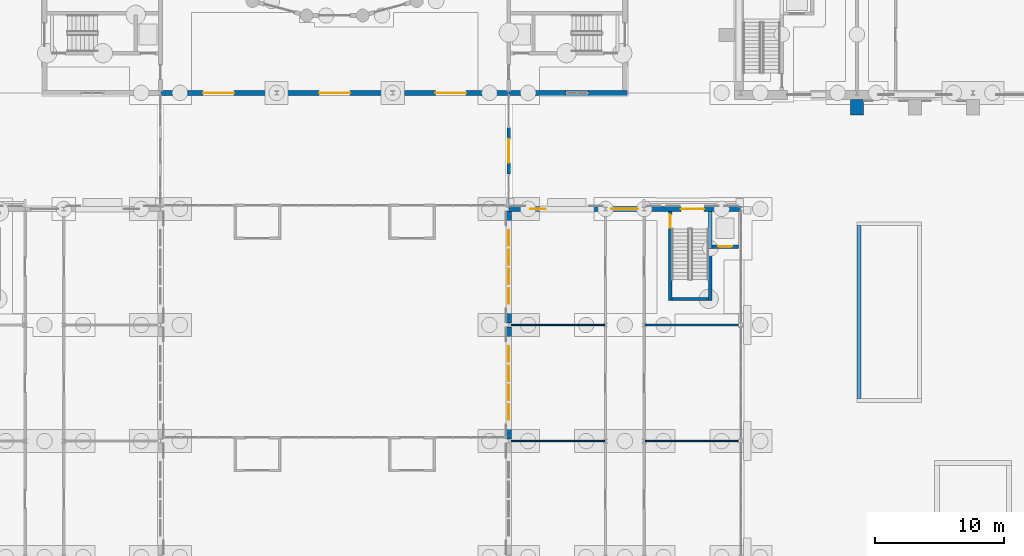
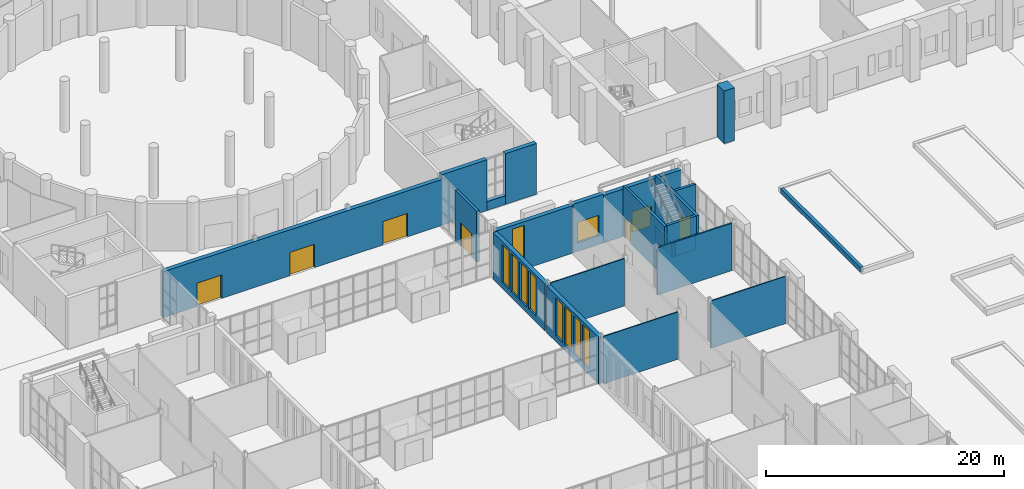
# One storey, part 97 of 168: 22 walls, 10 windows, 7 doors, 17 openings.
"""IFC4 building model written with IfcOpenShell, lengths in metres."""

from ifc_helpers import new_model, si_unit, direction, frame, frame_2d, origin, place, context, subcontext, project, spatial, rectangle, extrude, material, layer, layer_set, type_object, element, fill, save


model = new_model("IFC4")

# Units and contexts
model_context = context("Model", 3, precision=1e-05, world=origin(), true_north=direction((0.0, 1.0)))
body_context = subcontext(model_context, "Body", "Model", "MODEL_VIEW")
ifc_project = project(units=[si_unit("LENGTHUNIT", "METRE"), si_unit("AREAUNIT", "SQUARE_METRE"), si_unit("VOLUMEUNIT", "CUBIC_METRE"), si_unit("PLANEANGLEUNIT", "RADIAN"), si_unit("MASSUNIT", "GRAM", prefix="KILO")], contexts=[model_context])

# Site, building, storey
site_placement = place(None, origin())
site = spatial("IfcSite", under=ifc_project, at=site_placement, CompositionType="ELEMENT")
building_placement = place(site_placement, origin())
building = spatial("IfcBuilding", under=site, at=building_placement, Name="Golden Quay Civic Hall", CompositionType="ELEMENT")
storey_placement = place(building_placement, origin())
storey = spatial("IfcBuildingStorey", under=building, at=storey_placement, Name="L00", CompositionType="ELEMENT", Elevation=0.0)

# Walls
ifc_material_1 = material(Name="Brick, dark clay facing", Category="masonry")
ifc_layer_1 = layer(ifc_material_1, 0.300048828125)
ifc_layer_set_1 = layer_set([ifc_layer_1], Name="Brick planter wall 300")
wall_type_1 = type_object("IfcWallType", Name="Brick planter wall 300", PredefinedType="STANDARD", material=ifc_layer_set_1)
wall_1_placement = place(storey_placement, frame((126.14990234375, 39.300048828125, 0.0), z_axis=(0.0, 0.0, 1.0), x_axis=(0.0, 1.0, 0.0)))
element("IfcWall", 1, at=wall_1_placement, inside=storey, type_object=wall_type_1, Name="Court planter East Court 2", PredefinedType="STANDARD", context=body_context, shape_type="SweptSolid", body=[
    extrude(rectangle(XDim=13.39990234375, YDim=0.300048828125, at=frame_2d((6.699951171875, 0.0))), origin(), (0.0, 0.0, 1.0), 0.5),
])
ifc_material_2 = material(Name="Concrete C40/50", Category="concrete")
ifc_layer_2 = layer(ifc_material_2, 0.25)
ifc_layer_set_2 = layer_set([ifc_layer_2], Name="Concrete core wall 250, Concrete C40/50")
wall_type_2 = type_object("IfcWallType", Name="Concrete core wall 250", PredefinedType="SHEAR", material=ifc_layer_set_2)
wall_2_placement = place(storey_placement, frame((114.625, 46.89990234375, 0.0), z_axis=(0.0, 0.0, 1.0), x_axis=(0.0, 1.0, 0.0)))
element("IfcWall", 2, at=wall_2_placement, inside=storey, type_object=wall_type_2, Name="Core wall EM-N-W1", PredefinedType="SHEAR", context=body_context, shape_type="SweptSolid", body=[
    extrude(rectangle(XDim=6.900146484375, YDim=0.25, at=frame_2d((3.4501953125, 0.0))), origin(), (0.0, 0.0, 1.0), 5.199951171875),
])

# Wall, opening, door
wall_3_placement = place(storey_placement, frame((111.52490234375, 46.89990234375, 0.0), z_axis=(0.0, 0.0, 1.0), x_axis=(0.0, 1.0, 0.0)))
wall_3 = element("IfcWall", 3, at=wall_3_placement, inside=storey, type_object=wall_type_2, Name="Core wall EM-N-W2", PredefinedType="SHEAR", context=body_context, shape_type="SweptSolid", body=[
    extrude(rectangle(XDim=6.900146484375, YDim=0.25, at=frame_2d((3.4501953125, 0.0))), origin(), (0.0, 0.0, 1.0), 5.199951171875),
])
opening_1_placement = place(wall_3_placement, frame((5.64990234375, 0.0, 0.0)))
opening_1 = element("IfcOpeningElement", 4, at=opening_1_placement, cuts=wall_3, Name="Opening L00-D141", PredefinedType="OPENING", context=body_context, shape_type="SweptSolid", body=[
    extrude(rectangle(XDim=1.0, YDim=2.10009765625, at=frame_2d((0.5, 1.050048828125))), frame((0.0, 0.135009765625, 0.0), z_axis=(0.0, -1.0, 0.0), x_axis=(1.0, 0.0, 0.0)), (0.0, 0.0, 1.0), 0.27001953125),
])
ifc_material_3 = material(Name="Steel", Category="steel")
door_type_1 = type_object("IfcDoorType", Name="Steel fire door FD60 1000 x 2100", OperationType="SINGLE_SWING_LEFT", PredefinedType="DOOR", material=ifc_material_3)
door_1_placement = place(opening_1_placement, frame((1.0, 0.0, 0.0), z_axis=(0.0, 0.0, 1.0), x_axis=(-1.0, 0.0, 0.0)))
door_1 = element("IfcDoor", 5, at=door_1_placement, inside=storey, type_object=door_type_1, Name="Door L00-D141", OperationType="SINGLE_SWING_RIGHT", OverallHeight=2.10009765625, OverallWidth=1.0, PredefinedType="DOOR", context=body_context, shape_type="SweptSolid", body=[
    extrude(rectangle(XDim=1.0, YDim=2.10009765625, at=frame_2d((0.5, 1.050048828125))), frame((0.0, 0.025146484375, 0.0), z_axis=(0.0, -1.0, 0.0), x_axis=(1.0, 0.0, 0.0)), (0.0, 0.0, 1.0), 0.050048828125),
])
fill(opening_1, door_1)

# Wall
wall_4_placement = place(storey_placement, frame((111.64990234375, 47.02490234375, 0.0), z_axis=(0.0, 0.0, 1.0), x_axis=(1.0, 0.0, 0.0)))
element("IfcWall", 6, at=wall_4_placement, inside=storey, type_object=wall_type_2, Name="Core wall EM-N-W3", PredefinedType="SHEAR", context=body_context, shape_type="SweptSolid", body=[
    extrude(rectangle(XDim=2.85009765625, YDim=0.25, at=frame_2d((1.425048828125, 0.0))), origin(), (0.0, 0.0, 1.0), 5.199951171875),
])

# Wall, opening, door
wall_5_placement = place(storey_placement, frame((114.75, 51.074951171875, 0.0), z_axis=(0.0, 0.0, 1.0), x_axis=(1.0, 0.0, 0.0)))
wall_5 = element("IfcWall", 7, at=wall_5_placement, inside=storey, type_object=wall_type_2, Name="Core wall EM-N-W4", PredefinedType="SHEAR", context=body_context, shape_type="SweptSolid", body=[
    extrude(rectangle(XDim=2.050048828125, YDim=0.25, at=frame_2d((1.02490234375, 0.0))), origin(), (0.0, 0.0, 1.0), 5.199951171875),
])
opening_2_placement = place(wall_5_placement, frame((0.47509765625, 0.0, 0.0)))
opening_2 = element("IfcOpeningElement", 8, at=opening_2_placement, cuts=wall_5, Name="Opening L00-D144", PredefinedType="OPENING", context=body_context, shape_type="SweptSolid", body=[
    extrude(rectangle(XDim=1.10009765625, YDim=2.10009765625, at=frame_2d((0.550048828125, 1.050048828125))), frame((0.0, 0.135009765625, 0.0), z_axis=(0.0, -1.0, 0.0), x_axis=(1.0, 0.0, 0.0)), (0.0, 0.0, 1.0), 0.27001953125),
])
ifc_material_4 = material(Name="Steel", Category="steel")
door_type_2 = type_object("IfcDoorType", Name="Lift landing door 1100 x 2100", OperationType="SLIDING_TO_LEFT", PredefinedType="DOOR", material=ifc_material_4)
door_2_placement = place(opening_2_placement, origin())
door_2 = element("IfcDoor", 9, at=door_2_placement, inside=storey, type_object=door_type_2, Name="Lift landing door L00-D144 EM-N", OperationType="SLIDING_TO_LEFT", OverallHeight=2.10009765625, OverallWidth=1.10009765625, PredefinedType="DOOR", context=body_context, shape_type="SweptSolid", body=[
    extrude(rectangle(XDim=1.10009765625, YDim=2.10009765625, at=frame_2d((0.550048828125, 1.050048828125))), frame((0.0, 0.02490234375, 0.0), z_axis=(0.0, -1.0, 0.0), x_axis=(1.0, 0.0, 0.0)), (0.0, 0.0, 1.0), 0.050048828125),
])
fill(opening_2, door_2)

# Walls
wall_6_placement = place(storey_placement, frame((114.625, 50.949951171875, -1.5), z_axis=(0.0, 0.0, 1.0), x_axis=(0.0, 1.0, 0.0)))
element("IfcWall", 10, at=wall_6_placement, inside=storey, type_object=wall_type_2, Name="Lift pit wall P1", PredefinedType="SHEAR", context=body_context, shape_type="SweptSolid", body=[
    extrude(rectangle(XDim=2.85009765625, YDim=0.25, at=frame_2d((1.425048828125, 0.0))), origin(), (0.0, 0.0, 1.0), 1.5),
])
wall_7_placement = place(storey_placement, frame((114.75, 51.074951171875, -1.5), z_axis=(0.0, 0.0, 1.0), x_axis=(1.0, 0.0, 0.0)))
element("IfcWall", 11, at=wall_7_placement, inside=storey, type_object=wall_type_2, Name="Lift pit wall P2", PredefinedType="SHEAR", context=body_context, shape_type="SweptSolid", body=[
    extrude(rectangle(XDim=2.050048828125, YDim=0.25, at=frame_2d((1.02490234375, 0.0))), origin(), (0.0, 0.0, 1.0), 1.5),
])

# Wall, opening, door
ifc_material_5 = material(Name="Glass and aluminium", Category="aluminium")
ifc_layer_3 = layer(ifc_material_5, 0.25)
ifc_layer_set_3 = layer_set([ifc_layer_3], Name="Glazed entrance screen 250")
wall_type_3 = type_object("IfcWallType", Name="Glazed entrance screen 250", PredefinedType="STANDARD", material=ifc_layer_set_3)
wall_8_placement = place(storey_placement, frame((99.0, 60.300048828125, 0.0), z_axis=(0.0, 0.0, 1.0), x_axis=(0.0, -1.0, 0.0)))
wall_8 = element("IfcWall", 12, at=wall_8_placement, inside=storey, type_object=wall_type_3, Name="Foyer screen east", PredefinedType="STANDARD", context=body_context, shape_type="SweptSolid", body=[
    extrude(rectangle(XDim=3.60009765625, YDim=0.25, at=frame_2d((1.800048828125, 0.0))), origin(), (0.0, 0.0, 1.0), 5.199951171875),
])
opening_3_placement = place(wall_8_placement, frame((0.89990234375, 0.0, 0.0)))
opening_3 = element("IfcOpeningElement", 13, at=opening_3_placement, cuts=wall_8, Name="Opening L00-D021", PredefinedType="OPENING", context=body_context, shape_type="SweptSolid", body=[
    extrude(rectangle(XDim=1.800048828125, YDim=2.39990234375, at=frame_2d((0.89990234375, 1.199951171875))), frame((0.0, 0.135009765625, 0.0), z_axis=(0.0, -1.0, 0.0), x_axis=(1.0, 0.0, 0.0)), (0.0, 0.0, 1.0), 0.27001953125),
])
ifc_material_6 = material(Name="Glass and aluminium", Category="aluminium")
door_type_3 = type_object("IfcDoorType", Name="Glazed double door 1800 x 2400", OperationType="DOUBLE_DOOR_SINGLE_SWING", PredefinedType="DOOR", material=ifc_material_6)
door_3_placement = place(opening_3_placement, origin())
door_3 = element("IfcDoor", 14, at=door_3_placement, inside=storey, type_object=door_type_3, Name="Door HALL-S2", OperationType="DOUBLE_DOOR_SINGLE_SWING", OverallHeight=2.39990234375, OverallWidth=1.800048828125, PredefinedType="DOOR", context=body_context, shape_type="SweptSolid", body=[
    extrude(rectangle(XDim=1.800048828125, YDim=2.39990234375, at=frame_2d((0.89990234375, 1.199951171875))), frame((0.0, 0.02490234375, 0.0), z_axis=(0.0, -1.0, 0.0), x_axis=(1.0, 0.0, 0.0)), (0.0, 0.0, 1.0), 0.050048828125),
])
fill(opening_3, door_3)

# Walls
ifc_material_7 = material(Name="Plasterboard on steel studs", Category="steel")
ifc_layer_4 = layer(ifc_material_7, 0.10009765625)
ifc_layer_set_4 = layer_set([ifc_layer_4], Name="Partition 100 stud")
wall_type_4 = type_object("IfcWallType", Name="Partition 100 stud", PredefinedType="PARTITIONING", material=ifc_layer_set_4)
for number, where, z_axis, x_axis, name in (
    (15, (109.574951171875, 36.0, 0.0), (0.0, 0.0, 1.0), (1.0, 0.0, 0.0), "Partition L00-002"),
    (16, (99.199951171875, 36.0, 0.0), (0.0, 0.0, 1.0), (1.0, 0.0, 0.0), "Partition L00-007"),
    (17, (99.199951171875, 45.0, 0.0), (0.0, 0.0, 1.0), (1.0, 0.0, 0.0), "Partition L00-008"),
):
    element("IfcWall", number, at=place(storey_placement, frame(where, z_axis=z_axis, x_axis=x_axis)), inside=storey, type_object=wall_type_4, Name=name, PredefinedType="PARTITIONING", context=body_context, shape_type="SweptSolid", body=[
        extrude(rectangle(XDim=7.22509765625, YDim=0.10009765625, at=frame_2d((3.612548828125, 0.0))), origin(), (0.0, 0.0, 1.0), 4.85009765625),
    ])
ifc_material_8 = material(Name="Plasterboard on steel studs", Category="steel")
ifc_layer_5 = layer(ifc_material_8, 0.14990234375)
ifc_layer_set_5 = layer_set([ifc_layer_5], Name="Partition 150 stud fire EI 60")
wall_type_5 = type_object("IfcWallType", Name="Partition 150 stud fire EI 60", PredefinedType="PARTITIONING", material=ifc_layer_set_5)
wall_9_placement = place(storey_placement, frame((109.574951171875, 45.0, 0.0), z_axis=(0.0, 0.0, 1.0), x_axis=(1.0, 0.0, 0.0)))
element("IfcWall", 18, at=wall_9_placement, inside=storey, type_object=wall_type_5, Name="Partition L00-003", PredefinedType="PARTITIONING", context=body_context, shape_type="SweptSolid", body=[
    extrude(rectangle(XDim=7.22509765625, YDim=0.14990234375, at=frame_2d((3.612548828125, 0.0))), origin(), (0.0, 0.0, 1.0), 4.85009765625),
])

# Wall, openings, windows
ifc_material_9 = material(Name="Clay block, rendered, cream")
ifc_layer_6 = layer(ifc_material_9, 0.39990234375)
ifc_layer_set_6 = layer_set([ifc_layer_6], Name="Rendered block external wall 400")
wall_type_6 = type_object("IfcWallType", Name="Rendered block external wall 400", PredefinedType="STANDARD", material=ifc_layer_set_6)
wall_10_placement = place(storey_placement, frame((99.0, 36.14501953125, 0.0), z_axis=(0.0, 0.0, 1.0), x_axis=(0.0, 1.0, 0.0)))
wall_10 = element("IfcWall", 19, at=wall_10_placement, inside=storey, type_object=wall_type_6, Name="Rendered block external wall 400 L00 36", PredefinedType="STANDARD", context=body_context, shape_type="SweptSolid", body=[
    extrude(rectangle(XDim=8.7099609375, YDim=0.39990234375, at=frame_2d((4.35498046875, 0.0))), origin(), (0.0, 0.0, 1.0), 4.800048828125),
])
opening_4_placement = place(wall_10_placement, frame((1.5048828125, 0.0, 0.60009765625)))
opening_4 = element("IfcOpeningElement", 20, at=opening_4_placement, cuts=wall_10, Name="Opening WN3", PredefinedType="OPENING", context=body_context, shape_type="SweptSolid", body=[
    extrude(rectangle(XDim=1.199951171875, YDim=3.89990234375, at=frame_2d((0.60009765625, 1.949951171875))), frame((0.0, 0.2099609375, 0.0), z_axis=(0.0, -1.0, 0.0), x_axis=(1.0, 0.0, 0.0)), (0.0, 0.0, 1.0), 0.419921875),
])
opening_5_placement = place(wall_10_placement, frame((3.0048828125, 0.0, 0.60009765625)))
opening_5 = element("IfcOpeningElement", 21, at=opening_5_placement, cuts=wall_10, Name="Opening WN3", PredefinedType="OPENING", context=body_context, shape_type="SweptSolid", body=[
    extrude(rectangle(XDim=1.199951171875, YDim=3.89990234375, at=frame_2d((0.60009765625, 1.949951171875))), frame((0.0, 0.2099609375, 0.0), z_axis=(0.0, -1.0, 0.0), x_axis=(1.0, 0.0, 0.0)), (0.0, 0.0, 1.0), 0.419921875),
])
opening_6_placement = place(wall_10_placement, frame((4.5048828125, 0.0, 0.60009765625)))
opening_6 = element("IfcOpeningElement", 22, at=opening_6_placement, cuts=wall_10, Name="Opening WN3", PredefinedType="OPENING", context=body_context, shape_type="SweptSolid", body=[
    extrude(rectangle(XDim=1.199951171875, YDim=3.89990234375, at=frame_2d((0.60009765625, 1.949951171875))), frame((0.0, 0.2099609375, 0.0), z_axis=(0.0, -1.0, 0.0), x_axis=(1.0, 0.0, 0.0)), (0.0, 0.0, 1.0), 0.419921875),
])
opening_7_placement = place(wall_10_placement, frame((6.0048828125, 0.0, 0.60009765625)))
opening_7 = element("IfcOpeningElement", 23, at=opening_7_placement, cuts=wall_10, Name="Opening WN3", PredefinedType="OPENING", context=body_context, shape_type="SweptSolid", body=[
    extrude(rectangle(XDim=1.199951171875, YDim=3.89990234375, at=frame_2d((0.60009765625, 1.949951171875))), frame((0.0, 0.2099609375, 0.0), z_axis=(0.0, -1.0, 0.0), x_axis=(1.0, 0.0, 0.0)), (0.0, 0.0, 1.0), 0.419921875),
])
ifc_material_10 = material(Name="Aluminium frame, double glazed", Category="aluminium")
window_type_1 = type_object("IfcWindowType", Name="Golden grid window 1200 x 3900", PartitioningType="SINGLE_PANEL", PredefinedType="WINDOW", material=ifc_material_10)
window_1_placement = place(opening_4_placement, origin())
window_1 = element("IfcWindow", 24, at=window_1_placement, inside=storey, type_object=window_type_1, Name="Golden grid window 1200 x 3900 L00 86", OverallHeight=3.89990234375, OverallWidth=1.199951171875, PartitioningType="SINGLE_PANEL", PredefinedType="WINDOW", context=body_context, shape_type="SweptSolid", body=[
    extrude(rectangle(XDim=1.199951171875, YDim=3.89990234375, at=frame_2d((0.60009765625, 1.949951171875))), frame((0.0, 0.030029296875, 0.0), z_axis=(0.0, -1.0, 0.0), x_axis=(1.0, 0.0, 0.0)), (0.0, 0.0, 1.0), 0.06005859375),
])
fill(opening_4, window_1)
window_2_placement = place(opening_5_placement, origin())
window_2 = element("IfcWindow", 25, at=window_2_placement, inside=storey, type_object=window_type_1, Name="Golden grid window 1200 x 3900 L00 87", OverallHeight=3.89990234375, OverallWidth=1.199951171875, PartitioningType="SINGLE_PANEL", PredefinedType="WINDOW", context=body_context, shape_type="SweptSolid", body=[
    extrude(rectangle(XDim=1.199951171875, YDim=3.89990234375, at=frame_2d((0.60009765625, 1.949951171875))), frame((0.0, 0.030029296875, 0.0), z_axis=(0.0, -1.0, 0.0), x_axis=(1.0, 0.0, 0.0)), (0.0, 0.0, 1.0), 0.06005859375),
])
fill(opening_5, window_2)
window_3_placement = place(opening_6_placement, origin())
window_3 = element("IfcWindow", 26, at=window_3_placement, inside=storey, type_object=window_type_1, Name="Golden grid window 1200 x 3900 L00 88", OverallHeight=3.89990234375, OverallWidth=1.199951171875, PartitioningType="SINGLE_PANEL", PredefinedType="WINDOW", context=body_context, shape_type="SweptSolid", body=[
    extrude(rectangle(XDim=1.199951171875, YDim=3.89990234375, at=frame_2d((0.60009765625, 1.949951171875))), frame((0.0, 0.030029296875, 0.0), z_axis=(0.0, -1.0, 0.0), x_axis=(1.0, 0.0, 0.0)), (0.0, 0.0, 1.0), 0.06005859375),
])
fill(opening_6, window_3)
window_4_placement = place(opening_7_placement, origin())
window_4 = element("IfcWindow", 27, at=window_4_placement, inside=storey, type_object=window_type_1, Name="Golden grid window 1200 x 3900 L00 89", OverallHeight=3.89990234375, OverallWidth=1.199951171875, PartitioningType="SINGLE_PANEL", PredefinedType="WINDOW", context=body_context, shape_type="SweptSolid", body=[
    extrude(rectangle(XDim=1.199951171875, YDim=3.89990234375, at=frame_2d((0.60009765625, 1.949951171875))), frame((0.0, 0.030029296875, 0.0), z_axis=(0.0, -1.0, 0.0), x_axis=(1.0, 0.0, 0.0)), (0.0, 0.0, 1.0), 0.06005859375),
])
fill(opening_7, window_4)

wall_11_placement = place(storey_placement, frame((99.0, 45.14501953125, 0.0), z_axis=(0.0, 0.0, 1.0), x_axis=(0.0, 1.0, 0.0)))
wall_11 = element("IfcWall", 28, at=wall_11_placement, inside=storey, type_object=wall_type_6, Name="Rendered block external wall 400 L00 37", PredefinedType="STANDARD", context=body_context, shape_type="SweptSolid", body=[
    extrude(rectangle(XDim=8.7099609375, YDim=0.39990234375, at=frame_2d((4.35498046875, 0.0))), origin(), (0.0, 0.0, 1.0), 4.800048828125),
])
opening_8_placement = place(wall_11_placement, frame((1.5048828125, 0.0, 0.60009765625)))
opening_8 = element("IfcOpeningElement", 29, at=opening_8_placement, cuts=wall_11, Name="Opening WN3", PredefinedType="OPENING", context=body_context, shape_type="SweptSolid", body=[
    extrude(rectangle(XDim=1.199951171875, YDim=3.89990234375, at=frame_2d((0.60009765625, 1.949951171875))), frame((0.0, 0.2099609375, 0.0), z_axis=(0.0, -1.0, 0.0), x_axis=(1.0, 0.0, 0.0)), (0.0, 0.0, 1.0), 0.419921875),
])
opening_9_placement = place(wall_11_placement, frame((3.0048828125, 0.0, 0.60009765625)))
opening_9 = element("IfcOpeningElement", 30, at=opening_9_placement, cuts=wall_11, Name="Opening WN3", PredefinedType="OPENING", context=body_context, shape_type="SweptSolid", body=[
    extrude(rectangle(XDim=1.199951171875, YDim=3.89990234375, at=frame_2d((0.60009765625, 1.949951171875))), frame((0.0, 0.2099609375, 0.0), z_axis=(0.0, -1.0, 0.0), x_axis=(1.0, 0.0, 0.0)), (0.0, 0.0, 1.0), 0.419921875),
])
opening_10_placement = place(wall_11_placement, frame((4.5048828125, 0.0, 0.60009765625)))
opening_10 = element("IfcOpeningElement", 31, at=opening_10_placement, cuts=wall_11, Name="Opening WN3", PredefinedType="OPENING", context=body_context, shape_type="SweptSolid", body=[
    extrude(rectangle(XDim=1.199951171875, YDim=3.89990234375, at=frame_2d((0.60009765625, 1.949951171875))), frame((0.0, 0.2099609375, 0.0), z_axis=(0.0, -1.0, 0.0), x_axis=(1.0, 0.0, 0.0)), (0.0, 0.0, 1.0), 0.419921875),
])
opening_11_placement = place(wall_11_placement, frame((6.0048828125, 0.0, 0.60009765625)))
opening_11 = element("IfcOpeningElement", 32, at=opening_11_placement, cuts=wall_11, Name="Opening WN3", PredefinedType="OPENING", context=body_context, shape_type="SweptSolid", body=[
    extrude(rectangle(XDim=1.199951171875, YDim=3.89990234375, at=frame_2d((0.60009765625, 1.949951171875))), frame((0.0, 0.2099609375, 0.0), z_axis=(0.0, -1.0, 0.0), x_axis=(1.0, 0.0, 0.0)), (0.0, 0.0, 1.0), 0.419921875),
])
window_5_placement = place(opening_8_placement, origin())
window_5 = element("IfcWindow", 33, at=window_5_placement, inside=storey, type_object=window_type_1, Name="Golden grid window 1200 x 3900 L00 90", OverallHeight=3.89990234375, OverallWidth=1.199951171875, PartitioningType="SINGLE_PANEL", PredefinedType="WINDOW", context=body_context, shape_type="SweptSolid", body=[
    extrude(rectangle(XDim=1.199951171875, YDim=3.89990234375, at=frame_2d((0.60009765625, 1.949951171875))), frame((0.0, 0.030029296875, 0.0), z_axis=(0.0, -1.0, 0.0), x_axis=(1.0, 0.0, 0.0)), (0.0, 0.0, 1.0), 0.06005859375),
])
fill(opening_8, window_5)
window_6_placement = place(opening_9_placement, origin())
window_6 = element("IfcWindow", 34, at=window_6_placement, inside=storey, type_object=window_type_1, Name="Golden grid window 1200 x 3900 L00 91", OverallHeight=3.89990234375, OverallWidth=1.199951171875, PartitioningType="SINGLE_PANEL", PredefinedType="WINDOW", context=body_context, shape_type="SweptSolid", body=[
    extrude(rectangle(XDim=1.199951171875, YDim=3.89990234375, at=frame_2d((0.60009765625, 1.949951171875))), frame((0.0, 0.030029296875, 0.0), z_axis=(0.0, -1.0, 0.0), x_axis=(1.0, 0.0, 0.0)), (0.0, 0.0, 1.0), 0.06005859375),
])
fill(opening_9, window_6)
window_7_placement = place(opening_10_placement, origin())
window_7 = element("IfcWindow", 35, at=window_7_placement, inside=storey, type_object=window_type_1, Name="Golden grid window 1200 x 3900 L00 92", OverallHeight=3.89990234375, OverallWidth=1.199951171875, PartitioningType="SINGLE_PANEL", PredefinedType="WINDOW", context=body_context, shape_type="SweptSolid", body=[
    extrude(rectangle(XDim=1.199951171875, YDim=3.89990234375, at=frame_2d((0.60009765625, 1.949951171875))), frame((0.0, 0.030029296875, 0.0), z_axis=(0.0, -1.0, 0.0), x_axis=(1.0, 0.0, 0.0)), (0.0, 0.0, 1.0), 0.06005859375),
])
fill(opening_10, window_7)
window_8_placement = place(opening_11_placement, origin())
window_8 = element("IfcWindow", 36, at=window_8_placement, inside=storey, type_object=window_type_1, Name="Golden grid window 1200 x 3900 L00 93", OverallHeight=3.89990234375, OverallWidth=1.199951171875, PartitioningType="SINGLE_PANEL", PredefinedType="WINDOW", context=body_context, shape_type="SweptSolid", body=[
    extrude(rectangle(XDim=1.199951171875, YDim=3.89990234375, at=frame_2d((0.60009765625, 1.949951171875))), frame((0.0, 0.030029296875, 0.0), z_axis=(0.0, -1.0, 0.0), x_axis=(1.0, 0.0, 0.0)), (0.0, 0.0, 1.0), 0.06005859375),
])
fill(opening_11, window_8)

# Wall, opening, window
wall_12_placement = place(storey_placement, frame((99.00927734375, 54.0, 0.0), z_axis=(0.0, 0.0, 1.0), x_axis=(1.0, 0.0, 0.0)))
wall_12 = element("IfcWall", 37, at=wall_12_placement, inside=storey, type_object=wall_type_6, Name="Rendered block external wall 400 L00 38", PredefinedType="STANDARD", context=body_context, shape_type="SweptSolid", body=[
    extrude(rectangle(XDim=7.4814453125, YDim=0.39990234375, at=frame_2d((3.74072265625, 0.0))), origin(), (0.0, 0.0, 1.0), 4.8701171875),
])
opening_12_placement = place(wall_12_placement, frame((1.640869140625, 0.0, 0.60009765625)))
opening_12 = element("IfcOpeningElement", 38, at=opening_12_placement, cuts=wall_12, Name="Opening WN3", PredefinedType="OPENING", context=body_context, shape_type="SweptSolid", body=[
    extrude(rectangle(XDim=1.199951171875, YDim=3.89990234375, at=frame_2d((0.60009765625, 1.949951171875))), frame((0.0, 0.2099609375, 0.0), z_axis=(0.0, -1.0, 0.0), x_axis=(1.0, 0.0, 0.0)), (0.0, 0.0, 1.0), 0.419921875),
])
window_9_placement = place(opening_12_placement, origin())
window_9 = element("IfcWindow", 39, at=window_9_placement, inside=storey, type_object=window_type_1, Name="Golden grid window 1200 x 3900 L00 94", OverallHeight=3.89990234375, OverallWidth=1.199951171875, PartitioningType="SINGLE_PANEL", PredefinedType="WINDOW", context=body_context, shape_type="SweptSolid", body=[
    extrude(rectangle(XDim=1.199951171875, YDim=3.89990234375, at=frame_2d((0.60009765625, 1.949951171875))), frame((0.0, 0.030029296875, 0.0), z_axis=(0.0, -1.0, 0.0), x_axis=(1.0, 0.0, 0.0)), (0.0, 0.0, 1.0), 0.06005859375),
])
fill(opening_12, window_9)

wall_13_placement = place(storey_placement, frame((106.50927734375, 54.0, 0.0), z_axis=(0.0, 0.0, 1.0), x_axis=(1.0, 0.0, 0.0)))
wall_13 = element("IfcWall", 40, at=wall_13_placement, inside=storey, type_object=wall_type_6, Name="Rendered block external wall 400 L00 39", PredefinedType="STANDARD", context=body_context, shape_type="SweptSolid", body=[
    extrude(rectangle(XDim=2.9814453125, YDim=0.39990234375, at=frame_2d((1.49072265625, 0.0))), origin(), (0.0, 0.0, 1.0), 5.0),
])
opening_13_placement = place(wall_13_placement, frame((0.440673828125, 0.0, 0.89990234375)))
opening_13 = element("IfcOpeningElement", 41, at=opening_13_placement, cuts=wall_13, Name="Opening WN2", PredefinedType="OPENING", context=body_context, shape_type="SweptSolid", body=[
    extrude(rectangle(XDim=2.10009765625, YDim=2.10009765625, at=frame_2d((1.050048828125, 1.050048828125))), frame((0.0, 0.2099609375, 0.0), z_axis=(0.0, -1.0, 0.0), x_axis=(1.0, 0.0, 0.0)), (0.0, 0.0, 1.0), 0.419921875),
])
ifc_material_11 = material(Name="Aluminium frame, double glazed", Category="aluminium")
window_type_2 = type_object("IfcWindowType", Name="Corridor end window 2100 x 2100", PartitioningType="SINGLE_PANEL", PredefinedType="WINDOW", material=ifc_material_11)
window_10_placement = place(opening_13_placement, origin())
window_10 = element("IfcWindow", 42, at=window_10_placement, inside=storey, type_object=window_type_2, Name="Corridor end window 2100 x 2100 L00 7", OverallHeight=2.10009765625, OverallWidth=2.10009765625, PartitioningType="SINGLE_PANEL", PredefinedType="WINDOW", context=body_context, shape_type="SweptSolid", body=[
    extrude(rectangle(XDim=2.10009765625, YDim=2.10009765625, at=frame_2d((1.050048828125, 1.050048828125))), frame((0.0, 0.030029296875, 0.0), z_axis=(0.0, -1.0, 0.0), x_axis=(1.0, 0.0, 0.0)), (0.0, 0.0, 1.0), 0.06005859375),
])
fill(opening_13, window_10)

# Wall, opening, door
ifc_material_12 = material(Name="Clay block, rendered, cream")
ifc_layer_7 = layer(ifc_material_12, 0.39990234375)
ifc_layer_set_7 = layer_set([ifc_layer_7], Name="Rendered block external wall 400 fire EI 60")
wall_type_7 = type_object("IfcWallType", Name="Rendered block external wall 400 fire EI 60", PredefinedType="STANDARD", material=ifc_layer_set_7)
wall_14_placement = place(storey_placement, frame((109.50927734375, 54.0, 0.0), z_axis=(0.0, 0.0, 1.0), x_axis=(1.0, 0.0, 0.0)))
wall_14 = element("IfcWall", 43, at=wall_14_placement, inside=storey, type_object=wall_type_7, Name="Rendered block external wall 400 fire EI 60 L00 6", PredefinedType="STANDARD", context=body_context, shape_type="SweptSolid", body=[
    extrude(rectangle(XDim=7.4814453125, YDim=0.39990234375, at=frame_2d((3.74072265625, 0.0))), origin(), (0.0, 0.0, 1.0), 4.8701171875),
])
opening_14_placement = place(wall_14_placement, frame((2.8408203125, 0.0, 0.0)))
opening_14 = element("IfcOpeningElement", 44, at=opening_14_placement, cuts=wall_14, Name="Opening L00-D010", PredefinedType="OPENING", context=body_context, shape_type="SweptSolid", body=[
    extrude(rectangle(XDim=1.800048828125, YDim=2.10009765625, at=frame_2d((0.89990234375, 1.050048828125))), frame((0.0, 0.2099609375, 0.0), z_axis=(0.0, -1.0, 0.0), x_axis=(1.0, 0.0, 0.0)), (0.0, 0.0, 1.0), 0.419921875),
])
ifc_material_13 = material(Name="Steel", Category="steel")
door_type_4 = type_object("IfcDoorType", Name="Steel double exit door FD60 1800 x 2100", OperationType="DOUBLE_DOOR_SINGLE_SWING", PredefinedType="DOOR", material=ifc_material_13)
door_4_placement = place(opening_14_placement, origin())
door_4 = element("IfcDoor", 45, at=door_4_placement, inside=storey, type_object=door_type_4, Name="Door L00-D010", OperationType="DOUBLE_DOOR_SINGLE_SWING", OverallHeight=2.10009765625, OverallWidth=1.800048828125, PredefinedType="DOOR", context=body_context, shape_type="SweptSolid", body=[
    extrude(rectangle(XDim=1.800048828125, YDim=2.10009765625, at=frame_2d((0.89990234375, 1.050048828125))), frame((0.0, 0.02490234375, 0.0), z_axis=(0.0, -1.0, 0.0), x_axis=(1.0, 0.0, 0.0)), (0.0, 0.0, 1.0), 0.050048828125),
])
fill(opening_14, door_4)

# Walls
ifc_material_14 = material(Name="Brick masonry with render", Category="masonry")
ifc_layer_8 = layer(ifc_material_14, 0.39990234375)
ifc_layer_set_8 = layer_set([ifc_layer_8], Name="Rendered brick external wall 400 fire EI 120")
wall_type_8 = type_object("IfcWallType", Name="Rendered brick external wall 400 fire EI 120", PredefinedType="STANDARD", material=ifc_layer_set_8)
wall_15_placement = place(storey_placement, frame((99.0, 63.0, 0.0), z_axis=(0.0, 0.0, 1.0), x_axis=(1.0, 0.0, 0.0)))
element("IfcWall", 46, at=wall_15_placement, inside=storey, type_object=wall_type_8, Name="Base wall S 99", PredefinedType="STANDARD", context=body_context, shape_type="SweptSolid", body=[
    extrude(rectangle(XDim=4.39990234375, YDim=0.39990234375, at=frame_2d((2.199951171875, 0.0))), origin(), (0.0, 0.0, 1.0), 5.199951171875),
])
wall_16_placement = place(storey_placement, frame((105.199951171875, 63.0, 0.0), z_axis=(0.0, 0.0, 1.0), x_axis=(1.0, 0.0, 0.0)))
element("IfcWall", 47, at=wall_16_placement, inside=storey, type_object=wall_type_8, Name="Base wall S 99 (beyond the bay)", PredefinedType="STANDARD", context=body_context, shape_type="SweptSolid", body=[
    extrude(rectangle(XDim=3.0, YDim=0.39990234375, at=frame_2d((1.5, 0.0))), origin(), (0.0, 0.0, 1.0), 5.199951171875),
])
wall_17_placement = place(storey_placement, frame((103.39990234375, 63.0, 0.0), z_axis=(0.0, 0.0, 1.0), x_axis=(1.0, 0.0, 0.0)))
element("IfcWall", 48, at=wall_17_placement, inside=storey, type_object=wall_type_8, Name="Base wall S 99 sill", PredefinedType="STANDARD", context=body_context, shape_type="SweptSolid", body=[
    extrude(rectangle(XDim=1.800048828125, YDim=0.39990234375, at=frame_2d((0.89990234375, 0.0))), origin(), (0.0, 0.0, 1.0), 0.89990234375),
])

# Wall, openings, doors
ifc_material_15 = material(Name="Brick masonry with render", Category="masonry")
ifc_layer_9 = layer(ifc_material_15, 0.39990234375)
ifc_layer_set_9 = layer_set([ifc_layer_9], Name="Rendered brick hall wall 400 fire EI 120")
wall_type_9 = type_object("IfcWallType", Name="Rendered brick hall wall 400 fire EI 120", PredefinedType="STANDARD", material=ifc_layer_set_9)
wall_18_placement = place(storey_placement, frame((72.0, 63.0, 0.0), z_axis=(0.0, 0.0, 1.0), x_axis=(1.0, 0.0, 0.0)))
wall_18 = element("IfcWall", 49, at=wall_18_placement, inside=storey, type_object=wall_type_9, Name="Base wall S 72", PredefinedType="STANDARD", context=body_context, shape_type="SweptSolid", body=[
    extrude(rectangle(XDim=27.0, YDim=0.39990234375, at=frame_2d((13.5, 0.0))), origin(), (0.0, 0.0, 1.0), 4.7099609375),
])
opening_15_placement = place(wall_18_placement, frame((3.300048828125, 0.0, 0.0)))
opening_15 = element("IfcOpeningElement", 50, at=opening_15_placement, cuts=wall_18, Name="Opening L00-D040", PredefinedType="OPENING", context=body_context, shape_type="SweptSolid", body=[
    extrude(rectangle(XDim=2.39990234375, YDim=2.39990234375, at=frame_2d((1.199951171875, 1.199951171875))), frame((0.0, 0.2099609375, 0.0), z_axis=(0.0, -1.0, 0.0), x_axis=(1.0, 0.0, 0.0)), (0.0, 0.0, 1.0), 0.419921875),
])
opening_16_placement = place(wall_18_placement, frame((12.300048828125, 0.0, 0.0)))
opening_16 = element("IfcOpeningElement", 51, at=opening_16_placement, cuts=wall_18, Name="Opening L00-D041", PredefinedType="OPENING", context=body_context, shape_type="SweptSolid", body=[
    extrude(rectangle(XDim=2.39990234375, YDim=2.39990234375, at=frame_2d((1.199951171875, 1.199951171875))), frame((0.0, 0.2099609375, 0.0), z_axis=(0.0, -1.0, 0.0), x_axis=(1.0, 0.0, 0.0)), (0.0, 0.0, 1.0), 0.419921875),
])
opening_17_placement = place(wall_18_placement, frame((21.300048828125, 0.0, 0.0)))
opening_17 = element("IfcOpeningElement", 52, at=opening_17_placement, cuts=wall_18, Name="Opening L00-D042", PredefinedType="OPENING", context=body_context, shape_type="SweptSolid", body=[
    extrude(rectangle(XDim=2.39990234375, YDim=2.39990234375, at=frame_2d((1.199951171875, 1.199951171875))), frame((0.0, 0.2099609375, 0.0), z_axis=(0.0, -1.0, 0.0), x_axis=(1.0, 0.0, 0.0)), (0.0, 0.0, 1.0), 0.419921875),
])
ifc_material_16 = material(Name="Timber", Category="wood")
door_type_5 = type_object("IfcDoorType", Name="Timber double hall door FD60 2400 x 2400", OperationType="DOUBLE_DOOR_SINGLE_SWING", PredefinedType="DOOR", material=ifc_material_16)
door_5_placement = place(opening_15_placement, frame((2.39990234375, 0.0, 0.0), z_axis=(0.0, 0.0, 1.0), x_axis=(-1.0, 0.0, 0.0)))
door_5 = element("IfcDoor", 53, at=door_5_placement, inside=storey, type_object=door_type_5, Name="Foyer door", OperationType="DOUBLE_DOOR_SINGLE_SWING", OverallHeight=2.39990234375, OverallWidth=2.39990234375, PredefinedType="DOOR", context=body_context, shape_type="SweptSolid", body=[
    extrude(rectangle(XDim=2.39990234375, YDim=2.39990234375, at=frame_2d((1.199951171875, 1.199951171875))), frame((0.0, 0.025146484375, 0.0), z_axis=(0.0, -1.0, 0.0), x_axis=(1.0, 0.0, 0.0)), (0.0, 0.0, 1.0), 0.050048828125),
])
fill(opening_15, door_5)
door_6_placement = place(opening_16_placement, frame((2.39990234375, 0.0, 0.0), z_axis=(0.0, 0.0, 1.0), x_axis=(-1.0, 0.0, 0.0)))
door_6 = element("IfcDoor", 54, at=door_6_placement, inside=storey, type_object=door_type_5, Name="Foyer door", OperationType="DOUBLE_DOOR_SINGLE_SWING", OverallHeight=2.39990234375, OverallWidth=2.39990234375, PredefinedType="DOOR", context=body_context, shape_type="SweptSolid", body=[
    extrude(rectangle(XDim=2.39990234375, YDim=2.39990234375, at=frame_2d((1.199951171875, 1.199951171875))), frame((0.0, 0.025146484375, 0.0), z_axis=(0.0, -1.0, 0.0), x_axis=(1.0, 0.0, 0.0)), (0.0, 0.0, 1.0), 0.050048828125),
])
fill(opening_16, door_6)
door_7_placement = place(opening_17_placement, frame((2.39990234375, 0.0, 0.0), z_axis=(0.0, 0.0, 1.0), x_axis=(-1.0, 0.0, 0.0)))
door_7 = element("IfcDoor", 55, at=door_7_placement, inside=storey, type_object=door_type_5, Name="Foyer door", OperationType="DOUBLE_DOOR_SINGLE_SWING", OverallHeight=2.39990234375, OverallWidth=2.39990234375, PredefinedType="DOOR", context=body_context, shape_type="SweptSolid", body=[
    extrude(rectangle(XDim=2.39990234375, YDim=2.39990234375, at=frame_2d((1.199951171875, 1.199951171875))), frame((0.0, 0.025146484375, 0.0), z_axis=(0.0, -1.0, 0.0), x_axis=(1.0, 0.0, 0.0)), (0.0, 0.0, 1.0), 0.050048828125),
])
fill(opening_17, door_7)

# Wall
ifc_material_17 = material(Name="Limestone, rusticated facing", Category="masonry")
ifc_layer_10 = layer(ifc_material_17, 1.199951171875)
ifc_layer_set_10 = layer_set([ifc_layer_10], Name="Stone base pier 1000 x 1200")
wall_type_10 = type_object("IfcWallType", Name="Stone base pier 1000 x 1200", PredefinedType="STANDARD", material=ifc_layer_set_10)
wall_19_placement = place(storey_placement, frame((125.5, 61.89990234375, 0.0), z_axis=(0.0, 0.0, 1.0), x_axis=(1.0, 0.0, 0.0)))
element("IfcWall", 56, at=wall_19_placement, inside=storey, type_object=wall_type_10, Name="Stone base pier 1000 x 1200 L00 1", PredefinedType="STANDARD", context=body_context, shape_type="SweptSolid", body=[
    extrude(rectangle(XDim=1.0, YDim=1.199951171875, at=frame_2d((0.5, 0.0))), origin(), (0.0, 0.0, 1.0), 5.39990234375),
])

save(model, "model.ifc")
